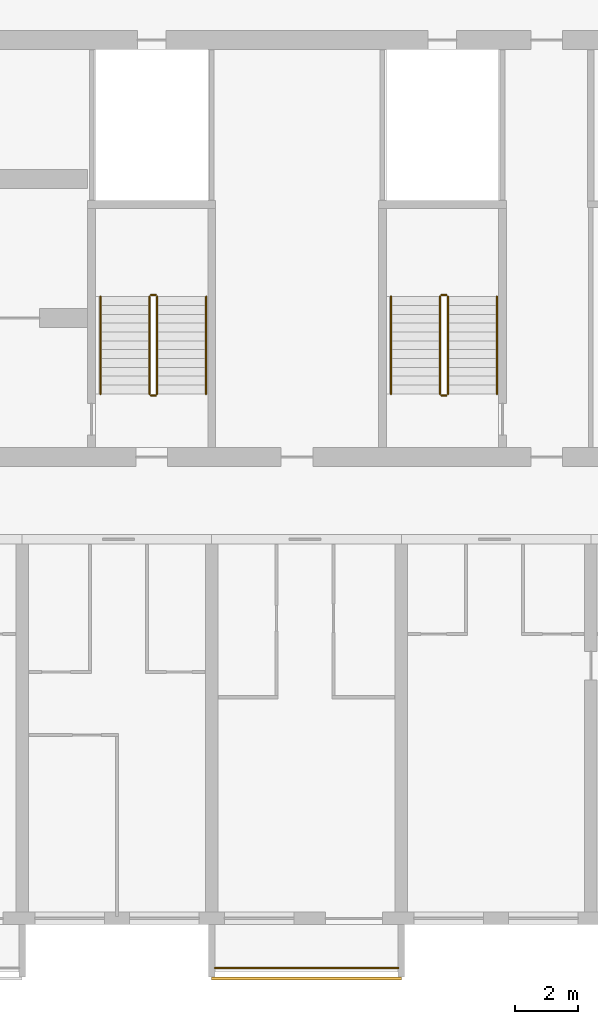
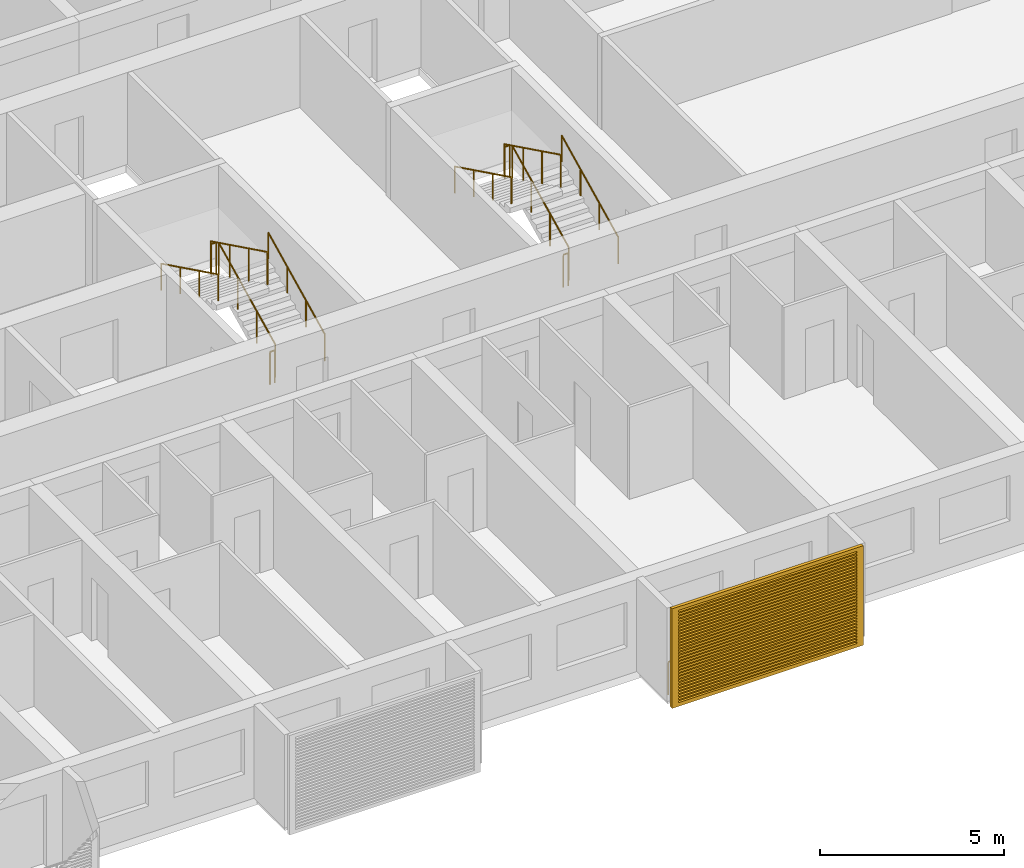
# One storey, part 32 of 40: 13 railings, 1 shading device.
"""IFC4 building model written with IfcOpenShell, lengths in metres."""

from ifc_helpers import new_model, si_unit, direction, frame, origin, origin_2d, place, context, subcontext, project, spatial, polyline, circle, outline, extrude, source, transform, mapped, material, material_profile, profile_set, type_object, element, save


model = new_model("IFC4")

# Units and contexts
model_context = context("Model", 3, precision=1e-05, world=origin(), true_north=direction((0.0, 1.0)))
body_context = subcontext(model_context, "Body", "Model", "MODEL_VIEW")
ifc_project = project(units=[si_unit("LENGTHUNIT", "METRE"), si_unit("AREAUNIT", "SQUARE_METRE"), si_unit("VOLUMEUNIT", "CUBIC_METRE"), si_unit("PLANEANGLEUNIT", "RADIAN"), si_unit("MASSUNIT", "GRAM", prefix="KILO")], contexts=[model_context])

# Site, building, storey
site_placement = place(None, origin())
site = spatial("IfcSite", under=ifc_project, at=site_placement, CompositionType="ELEMENT")
building_placement = place(site_placement, origin())
building = spatial("IfcBuilding", under=site, at=building_placement, Name="Poui Terraces", CompositionType="ELEMENT")
storey_placement = place(building_placement, frame((0.0, 0.0, 36.60009765625)))
storey = spatial("IfcBuildingStorey", under=building, at=storey_placement, Name="L09", CompositionType="ELEMENT", Elevation=36.60009765625)

# Railings
ifc_material_1 = material(Name="Painted steel fretwork", Category="steel")
railing_type_1 = type_object("IfcRailingType", Name="BALCONY GUARD 1100", PredefinedType="GUARDRAIL", material=ifc_material_1)
railing_1_placement = place(storey_placement, frame((72.10009765625, -1.570068359375, 0.0)))
element("IfcRailing", 1, at=railing_1_placement, inside=storey, type_object=railing_type_1, Name="BALCONY GUARD", PredefinedType="GUARDRAIL", context=body_context, shape_type="SweptSolid", body=[
    extrude(circle(Radius=0.02392578125, at=origin_2d()), frame((0.0, 0.0, 1.076171875), z_axis=(1.0, 0.0, 0.0), x_axis=(0.0, 1.0, 0.0)), (0.0, 0.0, 1.0), 5.7998046875),
    extrude(circle(Radius=0.02099609375, at=origin_2d()), origin(), (0.0, 0.0, 1.0), 1.052001953125),
    extrude(circle(Radius=0.02099609375, at=origin_2d()), frame((0.966552734375, 0.0, 0.0)), (0.0, 0.0, 1.0), 1.052001953125),
    extrude(circle(Radius=0.02099609375, at=origin_2d()), frame((1.933349609375, 0.0, 0.0)), (0.0, 0.0, 1.0), 1.052001953125),
    extrude(circle(Radius=0.02099609375, at=origin_2d()), frame((2.89990234375, 0.0, 0.0)), (0.0, 0.0, 1.0), 1.052001953125),
    extrude(circle(Radius=0.02099609375, at=origin_2d()), frame((3.866455078125, 0.0, 0.0)), (0.0, 0.0, 1.0), 1.052001953125),
    extrude(circle(Radius=0.02099609375, at=origin_2d()), frame((4.833251953125, 0.0, 0.0)), (0.0, 0.0, 1.0), 1.052001953125),
    extrude(circle(Radius=0.02099609375, at=origin_2d()), frame((5.7998046875, 0.0, 0.0)), (0.0, 0.0, 1.0), 1.052001953125),
])
ifc_material_2 = material(Name="Galvanised steel balustrade", Category="steel")
railing_type_2 = type_object("IfcRailingType", Name="STAIR GUARD 1100", PredefinedType="GUARDRAIL", material=ifc_material_2)
railing_2_placement = place(storey_placement, frame((70.27490234375, 16.60009765625, 0.137451171875)))
element("IfcRailing", 2, at=railing_2_placement, inside=storey, type_object=railing_type_2, Name="L09 ST-CE stair guard 1", PredefinedType="GUARDRAIL", context=body_context, shape_type="SweptSolid", body=[
    extrude(circle(Radius=0.02392578125, at=origin_2d()), frame((0.0, 0.0, 1.076171875), z_axis=(0.0, 0.897606190399, 0.440798283751), x_axis=(-1.0, 0.0, 0.0)), (0.0, 0.0, 1.0), 3.43115234375),
    extrude(circle(Radius=0.02099609375, at=origin_2d()), origin(), (0.0, 0.0, 1.0), 1.052001953125),
    extrude(circle(Radius=0.02099609375, at=origin_2d()), frame((0.0, 1.026611328125, 0.504150390625)), (0.0, 0.0, 1.0), 1.052001953125),
    extrude(circle(Radius=0.02099609375, at=origin_2d()), frame((0.0, 2.05322265625, 1.00830078125)), (0.0, 0.0, 1.0), 1.052001953125),
    extrude(circle(Radius=0.02099609375, at=origin_2d()), frame((0.0, 3.079833984375, 1.512451171875)), (0.0, 0.0, 1.0), 1.052001953125),
])
railing_3_placement = place(storey_placement, frame((70.22509765625, 19.72998046875, 1.64990234375)))
element("IfcRailing", 3, at=railing_3_placement, inside=storey, type_object=railing_type_2, Name="L09 ST-CE stair guard 2", PredefinedType="GUARDRAIL", context=body_context, shape_type="SweptSolid", body=[
    extrude(circle(Radius=0.02392578125, at=origin_2d()), frame((0.0, 0.0, 1.076171875), z_axis=(-1.0, 0.0, 0.0), x_axis=(0.0, -1.0, 0.0)), (0.0, 0.0, 1.0), 0.150146484375),
    extrude(circle(Radius=0.02099609375, at=origin_2d()), origin(), (0.0, 0.0, 1.0), 1.052001953125),
    extrude(circle(Radius=0.02099609375, at=origin_2d()), frame((-0.150146484375, 0.0, 0.0)), (0.0, 0.0, 1.0), 1.052001953125),
])
railing_4_placement = place(storey_placement, frame((70.02490234375, 19.679931640625, 1.787353515625)))
element("IfcRailing", 4, at=railing_4_placement, inside=storey, type_object=railing_type_2, Name="L09 ST-CE stair guard 3", PredefinedType="GUARDRAIL", context=body_context, shape_type="SweptSolid", body=[
    extrude(circle(Radius=0.02392578125, at=origin_2d()), frame((0.0, 0.0, 1.076171875), z_axis=(0.0, -0.897606190399, 0.440798283751), x_axis=(1.0, 0.0, 0.0)), (0.0, 0.0, 1.0), 3.43115234375),
    extrude(circle(Radius=0.02099609375, at=origin_2d()), origin(), (0.0, 0.0, 1.0), 1.052001953125),
    extrude(circle(Radius=0.02099609375, at=origin_2d()), frame((0.0, -1.026611328125, 0.504150390625)), (0.0, 0.0, 1.0), 1.052001953125),
    extrude(circle(Radius=0.02099609375, at=origin_2d()), frame((0.0, -2.05322265625, 1.00830078125)), (0.0, 0.0, 1.0), 1.052001953125),
    extrude(circle(Radius=0.02099609375, at=origin_2d()), frame((0.0, -3.079833984375, 1.512451171875)), (0.0, 0.0, 1.0), 1.052001953125),
])
railing_5_placement = place(storey_placement, frame((70.22509765625, 16.550048828125, 0.0)))
element("IfcRailing", 5, at=railing_5_placement, inside=storey, type_object=railing_type_2, Name="L09 ST-CE stair guard 4", PredefinedType="GUARDRAIL", context=body_context, shape_type="SweptSolid", body=[
    extrude(circle(Radius=0.02392578125, at=origin_2d()), frame((0.0, 0.0, 1.076171875), z_axis=(-1.0, 0.0, 0.0), x_axis=(0.0, -1.0, 0.0)), (0.0, 0.0, 1.0), 0.150146484375),
    extrude(circle(Radius=0.02099609375, at=origin_2d()), origin(), (0.0, 0.0, 1.0), 1.052001953125),
    extrude(circle(Radius=0.02099609375, at=origin_2d()), frame((-0.150146484375, 0.0, 0.0)), (0.0, 0.0, 1.0), 1.052001953125),
])
railing_6_placement = place(storey_placement, frame((79.47509765625, 16.60009765625, 0.137451171875)))
element("IfcRailing", 6, at=railing_6_placement, inside=storey, type_object=railing_type_2, Name="L09 ST-E stair guard 1", PredefinedType="GUARDRAIL", context=body_context, shape_type="SweptSolid", body=[
    extrude(circle(Radius=0.02392578125, at=origin_2d()), frame((0.0, 0.0, 1.076171875), z_axis=(0.0, 0.897606190399, 0.440798283751), x_axis=(-1.0, 0.0, 0.0)), (0.0, 0.0, 1.0), 3.43115234375),
    extrude(circle(Radius=0.02099609375, at=origin_2d()), origin(), (0.0, 0.0, 1.0), 1.052001953125),
    extrude(circle(Radius=0.02099609375, at=origin_2d()), frame((0.0, 1.026611328125, 0.504150390625)), (0.0, 0.0, 1.0), 1.052001953125),
    extrude(circle(Radius=0.02099609375, at=origin_2d()), frame((0.0, 2.05322265625, 1.00830078125)), (0.0, 0.0, 1.0), 1.052001953125),
    extrude(circle(Radius=0.02099609375, at=origin_2d()), frame((0.0, 3.079833984375, 1.512451171875)), (0.0, 0.0, 1.0), 1.052001953125),
])
railing_7_placement = place(storey_placement, frame((79.425048828125, 19.72998046875, 1.64990234375)))
element("IfcRailing", 7, at=railing_7_placement, inside=storey, type_object=railing_type_2, Name="L09 ST-E stair guard 2", PredefinedType="GUARDRAIL", context=body_context, shape_type="SweptSolid", body=[
    extrude(circle(Radius=0.02392578125, at=origin_2d()), frame((0.0, 0.0, 1.076171875), z_axis=(-1.0, 0.0, 0.0), x_axis=(0.0, -1.0, 0.0)), (0.0, 0.0, 1.0), 0.150146484375),
    extrude(circle(Radius=0.02099609375, at=origin_2d()), origin(), (0.0, 0.0, 1.0), 1.052001953125),
    extrude(circle(Radius=0.02099609375, at=origin_2d()), frame((-0.150146484375, 0.0, 0.0)), (0.0, 0.0, 1.0), 1.052001953125),
])
railing_8_placement = place(storey_placement, frame((79.22509765625, 19.679931640625, 1.787353515625)))
element("IfcRailing", 8, at=railing_8_placement, inside=storey, type_object=railing_type_2, Name="L09 ST-E stair guard 3", PredefinedType="GUARDRAIL", context=body_context, shape_type="SweptSolid", body=[
    extrude(circle(Radius=0.02392578125, at=origin_2d()), frame((0.0, 0.0, 1.076171875), z_axis=(0.0, -0.897606190399, 0.440798283751), x_axis=(1.0, 0.0, 0.0)), (0.0, 0.0, 1.0), 3.43115234375),
    extrude(circle(Radius=0.02099609375, at=origin_2d()), origin(), (0.0, 0.0, 1.0), 1.052001953125),
    extrude(circle(Radius=0.02099609375, at=origin_2d()), frame((0.0, -1.026611328125, 0.504150390625)), (0.0, 0.0, 1.0), 1.052001953125),
    extrude(circle(Radius=0.02099609375, at=origin_2d()), frame((0.0, -2.05322265625, 1.00830078125)), (0.0, 0.0, 1.0), 1.052001953125),
    extrude(circle(Radius=0.02099609375, at=origin_2d()), frame((0.0, -3.079833984375, 1.512451171875)), (0.0, 0.0, 1.0), 1.052001953125),
])
railing_9_placement = place(storey_placement, frame((79.425048828125, 16.550048828125, 0.0)))
element("IfcRailing", 9, at=railing_9_placement, inside=storey, type_object=railing_type_2, Name="L09 ST-E stair guard 4", PredefinedType="GUARDRAIL", context=body_context, shape_type="SweptSolid", body=[
    extrude(circle(Radius=0.02392578125, at=origin_2d()), frame((0.0, 0.0, 1.076171875), z_axis=(-1.0, 0.0, 0.0), x_axis=(0.0, -1.0, 0.0)), (0.0, 0.0, 1.0), 0.150146484375),
    extrude(circle(Radius=0.02099609375, at=origin_2d()), origin(), (0.0, 0.0, 1.0), 1.052001953125),
    extrude(circle(Radius=0.02099609375, at=origin_2d()), frame((-0.150146484375, 0.0, 0.0)), (0.0, 0.0, 1.0), 1.052001953125),
])
ifc_material_3 = material(Name="Stainless steel handrail", Category="steel")
railing_type_3 = type_object("IfcRailingType", Name="STAIR HANDRAIL 900", PredefinedType="HANDRAIL", material=ifc_material_3)
railing_10_placement = place(storey_placement, frame((71.824951171875, 16.60009765625, 0.137451171875)))
element("IfcRailing", 10, at=railing_10_placement, inside=storey, type_object=railing_type_3, Name="L09 ST-CE stair handrail 1", PredefinedType="HANDRAIL", context=body_context, shape_type="SweptSolid", body=[
    extrude(circle(Radius=0.02392578125, at=origin_2d()), frame((0.0, 0.0, 0.8759765625), z_axis=(0.0, 0.897606190399, 0.440798283751), x_axis=(-1.0, 0.0, 0.0)), (0.0, 0.0, 1.0), 3.43115234375),
    extrude(circle(Radius=0.02099609375, at=origin_2d()), origin(), (0.0, 0.0, 1.0), 0.851806640625),
    extrude(circle(Radius=0.02099609375, at=origin_2d()), frame((0.0, 1.026611328125, 0.504150390625)), (0.0, 0.0, 1.0), 0.851806640625),
    extrude(circle(Radius=0.02099609375, at=origin_2d()), frame((0.0, 2.05322265625, 1.00830078125)), (0.0, 0.0, 1.0), 0.851806640625),
    extrude(circle(Radius=0.02099609375, at=origin_2d()), frame((0.0, 3.079833984375, 1.512451171875)), (0.0, 0.0, 1.0), 0.851806640625),
])
railing_11_placement = place(storey_placement, frame((68.47509765625, 19.679931640625, 1.787353515625)))
element("IfcRailing", 11, at=railing_11_placement, inside=storey, type_object=railing_type_3, Name="L09 ST-CE stair handrail 2", PredefinedType="HANDRAIL", context=body_context, shape_type="SweptSolid", body=[
    extrude(circle(Radius=0.02392578125, at=origin_2d()), frame((0.0, 0.0, 0.8759765625), z_axis=(0.0, -0.897606190399, 0.440798283751), x_axis=(1.0, 0.0, 0.0)), (0.0, 0.0, 1.0), 3.43115234375),
    extrude(circle(Radius=0.02099609375, at=origin_2d()), origin(), (0.0, 0.0, 1.0), 0.851806640625),
    extrude(circle(Radius=0.02099609375, at=origin_2d()), frame((0.0, -1.026611328125, 0.504150390625)), (0.0, 0.0, 1.0), 0.851806640625),
    extrude(circle(Radius=0.02099609375, at=origin_2d()), frame((0.0, -2.05322265625, 1.00830078125)), (0.0, 0.0, 1.0), 0.851806640625),
    extrude(circle(Radius=0.02099609375, at=origin_2d()), frame((0.0, -3.079833984375, 1.512451171875)), (0.0, 0.0, 1.0), 0.851806640625),
])
railing_12_placement = place(storey_placement, frame((81.02490234375, 16.60009765625, 0.137451171875)))
element("IfcRailing", 12, at=railing_12_placement, inside=storey, type_object=railing_type_3, Name="L09 ST-E stair handrail 1", PredefinedType="HANDRAIL", context=body_context, shape_type="SweptSolid", body=[
    extrude(circle(Radius=0.02392578125, at=origin_2d()), frame((0.0, 0.0, 0.8759765625), z_axis=(0.0, 0.897606190399, 0.440798283751), x_axis=(-1.0, 0.0, 0.0)), (0.0, 0.0, 1.0), 3.43115234375),
    extrude(circle(Radius=0.02099609375, at=origin_2d()), origin(), (0.0, 0.0, 1.0), 0.851806640625),
    extrude(circle(Radius=0.02099609375, at=origin_2d()), frame((0.0, 1.026611328125, 0.504150390625)), (0.0, 0.0, 1.0), 0.851806640625),
    extrude(circle(Radius=0.02099609375, at=origin_2d()), frame((0.0, 2.05322265625, 1.00830078125)), (0.0, 0.0, 1.0), 0.851806640625),
    extrude(circle(Radius=0.02099609375, at=origin_2d()), frame((0.0, 3.079833984375, 1.512451171875)), (0.0, 0.0, 1.0), 0.851806640625),
])
railing_13_placement = place(storey_placement, frame((77.675048828125, 19.679931640625, 1.787353515625)))
element("IfcRailing", 13, at=railing_13_placement, inside=storey, type_object=railing_type_3, Name="L09 ST-E stair handrail 2", PredefinedType="HANDRAIL", context=body_context, shape_type="SweptSolid", body=[
    extrude(circle(Radius=0.02392578125, at=origin_2d()), frame((0.0, 0.0, 0.8759765625), z_axis=(0.0, -0.897606190399, 0.440798283751), x_axis=(1.0, 0.0, 0.0)), (0.0, 0.0, 1.0), 3.43115234375),
    extrude(circle(Radius=0.02099609375, at=origin_2d()), origin(), (0.0, 0.0, 1.0), 0.851806640625),
    extrude(circle(Radius=0.02099609375, at=origin_2d()), frame((0.0, -1.026611328125, 0.504150390625)), (0.0, 0.0, 1.0), 0.851806640625),
    extrude(circle(Radius=0.02099609375, at=origin_2d()), frame((0.0, -2.05322265625, 1.00830078125)), (0.0, 0.0, 1.0), 0.851806640625),
    extrude(circle(Radius=0.02099609375, at=origin_2d()), frame((0.0, -3.079833984375, 1.512451171875)), (0.0, 0.0, 1.0), 0.851806640625),
])

# Shading device
ifc_material_4 = material(Name="Aluminium louvre", Category="aluminium")
ifc_material_profile = material_profile(ifc_material_4, outline(polyline([(-3.0, -1.64990234375), (3.0, -1.64990234375), (3.0, 1.64990234375), (-3.0, 1.64990234375), (-3.0, -1.64990234375)]), holes=[polyline([(-2.800048828125, -1.530029296875), (2.800048828125, -1.530029296875), (2.800048828125, -1.469970703125), (-2.800048828125, -1.469970703125), (-2.800048828125, -1.530029296875)]), polyline([(-2.800048828125, -1.429931640625), (2.800048828125, -1.429931640625), (2.800048828125, -1.3701171875), (-2.800048828125, -1.3701171875), (-2.800048828125, -1.429931640625)]), polyline([(-2.800048828125, -1.330078125), (2.800048828125, -1.330078125), (2.800048828125, -1.27001953125), (-2.800048828125, -1.27001953125), (-2.800048828125, -1.330078125)]), polyline([(-2.800048828125, -1.22998046875), (2.800048828125, -1.22998046875), (2.800048828125, -1.169921875), (-2.800048828125, -1.169921875), (-2.800048828125, -1.22998046875)]), polyline([(-2.800048828125, -1.1298828125), (2.800048828125, -1.1298828125), (2.800048828125, -1.070068359375), (-2.800048828125, -1.070068359375), (-2.800048828125, -1.1298828125)]), polyline([(-2.800048828125, -1.030029296875), (2.800048828125, -1.030029296875), (2.800048828125, -0.969970703125), (-2.800048828125, -0.969970703125), (-2.800048828125, -1.030029296875)]), polyline([(-2.800048828125, -0.929931640625), (2.800048828125, -0.929931640625), (2.800048828125, -0.8701171875), (-2.800048828125, -0.8701171875), (-2.800048828125, -0.929931640625)]), polyline([(-2.800048828125, -0.830078125), (2.800048828125, -0.830078125), (2.800048828125, -0.77001953125), (-2.800048828125, -0.77001953125), (-2.800048828125, -0.830078125)]), polyline([(-2.800048828125, -0.72998046875), (2.800048828125, -0.72998046875), (2.800048828125, -0.669921875), (-2.800048828125, -0.669921875), (-2.800048828125, -0.72998046875)]), polyline([(-2.800048828125, -0.6298828125), (2.800048828125, -0.6298828125), (2.800048828125, -0.570068359375), (-2.800048828125, -0.570068359375), (-2.800048828125, -0.6298828125)]), polyline([(-2.800048828125, -0.530029296875), (2.800048828125, -0.530029296875), (2.800048828125, -0.469970703125), (-2.800048828125, -0.469970703125), (-2.800048828125, -0.530029296875)]), polyline([(-2.800048828125, -0.429931640625), (2.800048828125, -0.429931640625), (2.800048828125, -0.3701171875), (-2.800048828125, -0.3701171875), (-2.800048828125, -0.429931640625)]), polyline([(-2.800048828125, -0.330078125), (2.800048828125, -0.330078125), (2.800048828125, -0.27001953125), (-2.800048828125, -0.27001953125), (-2.800048828125, -0.330078125)]), polyline([(-2.800048828125, -0.22998046875), (2.800048828125, -0.22998046875), (2.800048828125, -0.169921875), (-2.800048828125, -0.169921875), (-2.800048828125, -0.22998046875)]), polyline([(-2.800048828125, -0.1298828125), (2.800048828125, -0.1298828125), (2.800048828125, -0.070068359375), (-2.800048828125, -0.070068359375), (-2.800048828125, -0.1298828125)]), polyline([(-2.800048828125, -0.030029296875), (2.800048828125, -0.030029296875), (2.800048828125, 0.030029296875), (-2.800048828125, 0.030029296875), (-2.800048828125, -0.030029296875)]), polyline([(-2.800048828125, 0.070068359375), (2.800048828125, 0.070068359375), (2.800048828125, 0.1298828125), (-2.800048828125, 0.1298828125), (-2.800048828125, 0.070068359375)]), polyline([(-2.800048828125, 0.169921875), (2.800048828125, 0.169921875), (2.800048828125, 0.22998046875), (-2.800048828125, 0.22998046875), (-2.800048828125, 0.169921875)]), polyline([(-2.800048828125, 0.27001953125), (2.800048828125, 0.27001953125), (2.800048828125, 0.330078125), (-2.800048828125, 0.330078125), (-2.800048828125, 0.27001953125)]), polyline([(-2.800048828125, 0.3701171875), (2.800048828125, 0.3701171875), (2.800048828125, 0.429931640625), (-2.800048828125, 0.429931640625), (-2.800048828125, 0.3701171875)]), polyline([(-2.800048828125, 0.469970703125), (2.800048828125, 0.469970703125), (2.800048828125, 0.530029296875), (-2.800048828125, 0.530029296875), (-2.800048828125, 0.469970703125)]), polyline([(-2.800048828125, 0.570068359375), (2.800048828125, 0.570068359375), (2.800048828125, 0.6298828125), (-2.800048828125, 0.6298828125), (-2.800048828125, 0.570068359375)]), polyline([(-2.800048828125, 0.669921875), (2.800048828125, 0.669921875), (2.800048828125, 0.72998046875), (-2.800048828125, 0.72998046875), (-2.800048828125, 0.669921875)]), polyline([(-2.800048828125, 0.77001953125), (2.800048828125, 0.77001953125), (2.800048828125, 0.830078125), (-2.800048828125, 0.830078125), (-2.800048828125, 0.77001953125)]), polyline([(-2.800048828125, 0.8701171875), (2.800048828125, 0.8701171875), (2.800048828125, 0.929931640625), (-2.800048828125, 0.929931640625), (-2.800048828125, 0.8701171875)]), polyline([(-2.800048828125, 0.969970703125), (2.800048828125, 0.969970703125), (2.800048828125, 1.030029296875), (-2.800048828125, 1.030029296875), (-2.800048828125, 0.969970703125)]), polyline([(-2.800048828125, 1.070068359375), (2.800048828125, 1.070068359375), (2.800048828125, 1.1298828125), (-2.800048828125, 1.1298828125), (-2.800048828125, 1.070068359375)]), polyline([(-2.800048828125, 1.169921875), (2.800048828125, 1.169921875), (2.800048828125, 1.22998046875), (-2.800048828125, 1.22998046875), (-2.800048828125, 1.169921875)]), polyline([(-2.800048828125, 1.27001953125), (2.800048828125, 1.27001953125), (2.800048828125, 1.330078125), (-2.800048828125, 1.330078125), (-2.800048828125, 1.27001953125)]), polyline([(-2.800048828125, 1.3701171875), (2.800048828125, 1.3701171875), (2.800048828125, 1.429931640625), (-2.800048828125, 1.429931640625), (-2.800048828125, 1.3701171875)]), polyline([(-2.800048828125, 1.469970703125), (2.800048828125, 1.469970703125), (2.800048828125, 1.530029296875), (-2.800048828125, 1.530029296875), (-2.800048828125, 1.469970703125)])]), Name="JALOUSIE LOUVRE SHUTTER 6000X3300")
ifc_profile_set = profile_set([ifc_material_profile], Name="Aluminium louvre")
shading_device_type = type_object("IfcShadingDeviceType", Name="JALOUSIE LOUVRE SHUTTER 6000X3300", PredefinedType="JALOUSIE", material=ifc_profile_set)
shared_shape = source(origin(), body_context, "Body", "SweptSolid", [
    extrude(outline(polyline([(-3.0, -1.64990234375), (3.0, -1.64990234375), (3.0, 1.64990234375), (-3.0, 1.64990234375), (-3.0, -1.64990234375)]), holes=[polyline([(-2.800048828125, -1.530029296875), (2.800048828125, -1.530029296875), (2.800048828125, -1.469970703125), (-2.800048828125, -1.469970703125), (-2.800048828125, -1.530029296875)]), polyline([(-2.800048828125, -1.429931640625), (2.800048828125, -1.429931640625), (2.800048828125, -1.3701171875), (-2.800048828125, -1.3701171875), (-2.800048828125, -1.429931640625)]), polyline([(-2.800048828125, -1.330078125), (2.800048828125, -1.330078125), (2.800048828125, -1.27001953125), (-2.800048828125, -1.27001953125), (-2.800048828125, -1.330078125)]), polyline([(-2.800048828125, -1.22998046875), (2.800048828125, -1.22998046875), (2.800048828125, -1.169921875), (-2.800048828125, -1.169921875), (-2.800048828125, -1.22998046875)]), polyline([(-2.800048828125, -1.1298828125), (2.800048828125, -1.1298828125), (2.800048828125, -1.070068359375), (-2.800048828125, -1.070068359375), (-2.800048828125, -1.1298828125)]), polyline([(-2.800048828125, -1.030029296875), (2.800048828125, -1.030029296875), (2.800048828125, -0.969970703125), (-2.800048828125, -0.969970703125), (-2.800048828125, -1.030029296875)]), polyline([(-2.800048828125, -0.929931640625), (2.800048828125, -0.929931640625), (2.800048828125, -0.8701171875), (-2.800048828125, -0.8701171875), (-2.800048828125, -0.929931640625)]), polyline([(-2.800048828125, -0.830078125), (2.800048828125, -0.830078125), (2.800048828125, -0.77001953125), (-2.800048828125, -0.77001953125), (-2.800048828125, -0.830078125)]), polyline([(-2.800048828125, -0.72998046875), (2.800048828125, -0.72998046875), (2.800048828125, -0.669921875), (-2.800048828125, -0.669921875), (-2.800048828125, -0.72998046875)]), polyline([(-2.800048828125, -0.6298828125), (2.800048828125, -0.6298828125), (2.800048828125, -0.570068359375), (-2.800048828125, -0.570068359375), (-2.800048828125, -0.6298828125)]), polyline([(-2.800048828125, -0.530029296875), (2.800048828125, -0.530029296875), (2.800048828125, -0.469970703125), (-2.800048828125, -0.469970703125), (-2.800048828125, -0.530029296875)]), polyline([(-2.800048828125, -0.429931640625), (2.800048828125, -0.429931640625), (2.800048828125, -0.3701171875), (-2.800048828125, -0.3701171875), (-2.800048828125, -0.429931640625)]), polyline([(-2.800048828125, -0.330078125), (2.800048828125, -0.330078125), (2.800048828125, -0.27001953125), (-2.800048828125, -0.27001953125), (-2.800048828125, -0.330078125)]), polyline([(-2.800048828125, -0.22998046875), (2.800048828125, -0.22998046875), (2.800048828125, -0.169921875), (-2.800048828125, -0.169921875), (-2.800048828125, -0.22998046875)]), polyline([(-2.800048828125, -0.1298828125), (2.800048828125, -0.1298828125), (2.800048828125, -0.070068359375), (-2.800048828125, -0.070068359375), (-2.800048828125, -0.1298828125)]), polyline([(-2.800048828125, -0.030029296875), (2.800048828125, -0.030029296875), (2.800048828125, 0.030029296875), (-2.800048828125, 0.030029296875), (-2.800048828125, -0.030029296875)]), polyline([(-2.800048828125, 0.070068359375), (2.800048828125, 0.070068359375), (2.800048828125, 0.1298828125), (-2.800048828125, 0.1298828125), (-2.800048828125, 0.070068359375)]), polyline([(-2.800048828125, 0.169921875), (2.800048828125, 0.169921875), (2.800048828125, 0.22998046875), (-2.800048828125, 0.22998046875), (-2.800048828125, 0.169921875)]), polyline([(-2.800048828125, 0.27001953125), (2.800048828125, 0.27001953125), (2.800048828125, 0.330078125), (-2.800048828125, 0.330078125), (-2.800048828125, 0.27001953125)]), polyline([(-2.800048828125, 0.3701171875), (2.800048828125, 0.3701171875), (2.800048828125, 0.429931640625), (-2.800048828125, 0.429931640625), (-2.800048828125, 0.3701171875)]), polyline([(-2.800048828125, 0.469970703125), (2.800048828125, 0.469970703125), (2.800048828125, 0.530029296875), (-2.800048828125, 0.530029296875), (-2.800048828125, 0.469970703125)]), polyline([(-2.800048828125, 0.570068359375), (2.800048828125, 0.570068359375), (2.800048828125, 0.6298828125), (-2.800048828125, 0.6298828125), (-2.800048828125, 0.570068359375)]), polyline([(-2.800048828125, 0.669921875), (2.800048828125, 0.669921875), (2.800048828125, 0.72998046875), (-2.800048828125, 0.72998046875), (-2.800048828125, 0.669921875)]), polyline([(-2.800048828125, 0.77001953125), (2.800048828125, 0.77001953125), (2.800048828125, 0.830078125), (-2.800048828125, 0.830078125), (-2.800048828125, 0.77001953125)]), polyline([(-2.800048828125, 0.8701171875), (2.800048828125, 0.8701171875), (2.800048828125, 0.929931640625), (-2.800048828125, 0.929931640625), (-2.800048828125, 0.8701171875)]), polyline([(-2.800048828125, 0.969970703125), (2.800048828125, 0.969970703125), (2.800048828125, 1.030029296875), (-2.800048828125, 1.030029296875), (-2.800048828125, 0.969970703125)]), polyline([(-2.800048828125, 1.070068359375), (2.800048828125, 1.070068359375), (2.800048828125, 1.1298828125), (-2.800048828125, 1.1298828125), (-2.800048828125, 1.070068359375)]), polyline([(-2.800048828125, 1.169921875), (2.800048828125, 1.169921875), (2.800048828125, 1.22998046875), (-2.800048828125, 1.22998046875), (-2.800048828125, 1.169921875)]), polyline([(-2.800048828125, 1.27001953125), (2.800048828125, 1.27001953125), (2.800048828125, 1.330078125), (-2.800048828125, 1.330078125), (-2.800048828125, 1.27001953125)]), polyline([(-2.800048828125, 1.3701171875), (2.800048828125, 1.3701171875), (2.800048828125, 1.429931640625), (-2.800048828125, 1.429931640625), (-2.800048828125, 1.3701171875)]), polyline([(-2.800048828125, 1.469970703125), (2.800048828125, 1.469970703125), (2.800048828125, 1.530029296875), (-2.800048828125, 1.530029296875), (-2.800048828125, 1.469970703125)])]), origin(), (0.0, 0.0, 1.0), 0.099853515625),
])
shading_device_placement = place(storey_placement, frame((75.0, -1.85009765625, 1.449951171875), z_axis=(0.0, -1.0, 0.0), x_axis=(1.0, 0.0, 0.0)))
element("IfcShadingDevice", 14, at=shading_device_placement, inside=storey, type_object=shading_device_type, Name="JALOUSIE LOUVRE SHUTTER", PredefinedType="JALOUSIE", context=body_context, shape_type="MappedRepresentation", body=[
    mapped(shared_shape, transform((0.0, 0.0, 0.0))),
])

save(model, "model.ifc")
